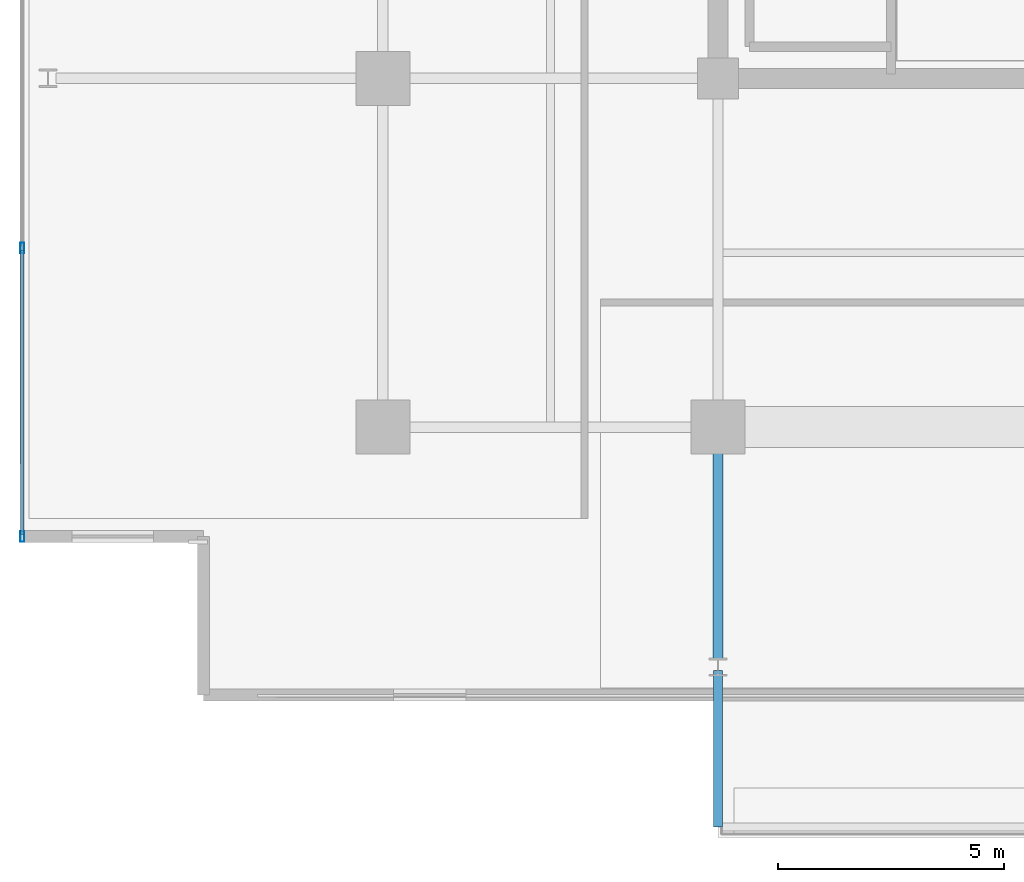
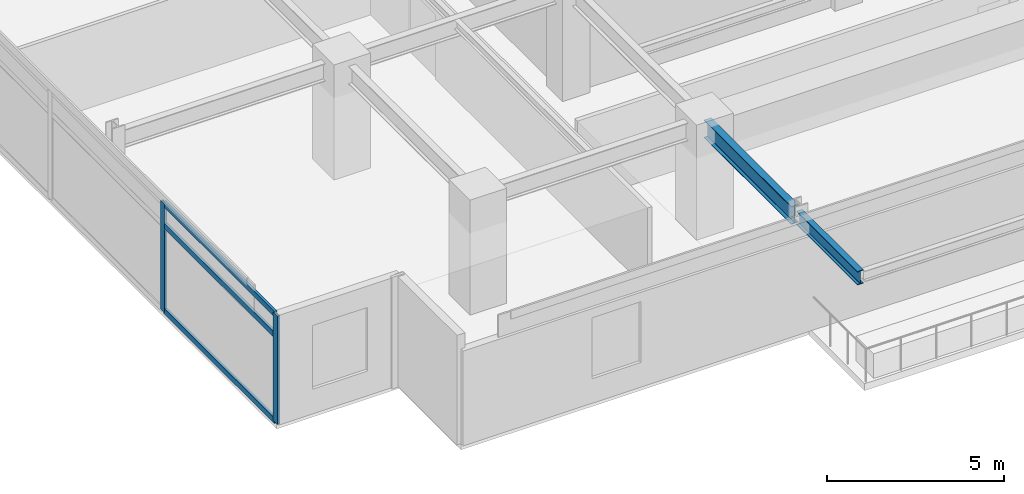
# One storey, part 2 of 24: 5 members, 2 beams, 1 element without a shape of its own.
"""IFC4 building model written with IfcOpenShell, lengths in metres."""

from ifc_helpers import new_model, si_unit, direction, frame, origin, origin_2d, place, context, subcontext, project, spatial, hollow_rectangle, i_section, extrude, material, material_profile, profile_set, type_object, element, aggregate, save


model = new_model("IFC4")

# Units and contexts
model_context = context("Model", 3, precision=1e-05, world=origin(), true_north=direction((0.0, 1.0)))
body_context = subcontext(model_context, "Body", "Model", "MODEL_VIEW")
ifc_project = project(units=[si_unit("LENGTHUNIT", "METRE"), si_unit("AREAUNIT", "SQUARE_METRE"), si_unit("VOLUMEUNIT", "CUBIC_METRE"), si_unit("PLANEANGLEUNIT", "RADIAN"), si_unit("MASSUNIT", "GRAM", prefix="KILO")], contexts=[model_context])

# Site, building, storey
site_placement = place(None, origin())
site = spatial("IfcSite", under=ifc_project, at=site_placement, CompositionType="ELEMENT")
building_placement = place(site_placement, origin())
building = spatial("IfcBuilding", under=site, at=building_placement, Name="Kovane Verandah Tower", CompositionType="ELEMENT")
storey_placement = place(building_placement, frame((0.0, 0.0, 259.199951171875)))
storey = spatial("IfcBuildingStorey", under=building, at=storey_placement, Name="L60", CompositionType="ELEMENT", Elevation=259.199951171875)

# Beam
ifc_material_1 = material(Name="Steel S355", Category="steel")
ifc_material_profile_1 = material_profile(ifc_material_1, i_section(OverallWidth=0.230224609375, OverallDepth=0.6171875, WebThickness=0.01318359375, FlangeThickness=0.022216796875, FilletRadius=0.0126953125, at=origin_2d()), Name="UB610x229x140")
ifc_profile_set_1 = profile_set([ifc_material_profile_1], Name="Steel S355")
beam_type_1 = type_object("IfcBeamType", Name="BM-UB610x140", PredefinedType="BEAM", material=ifc_profile_set_1)
beam_1_placement = place(storey_placement, frame((29.0, 10.6201171875, 3.451416015625), z_axis=(0.0, -1.0, 0.0), x_axis=(1.0, 0.0, 0.0)))
element("IfcBeam", 1, at=beam_1_placement, inside=storey, type_object=beam_type_1, Name="L60 Primary Tower Girder G-VS1", PredefinedType="BEAM", context=body_context, shape_type="SweptSolid", body=[
    extrude(i_section(OverallWidth=0.230224609375, OverallDepth=0.6171875, WebThickness=0.01318359375, FlangeThickness=0.022216796875, FilletRadius=0.0126953125, at=origin_2d()), origin(), (0.0, 0.0, 1.0), 4.940185546875),
])

# Curtain wall, members
ifc_material_2 = material(Name="Champagne Anodised Aluminium Frame with Low-E Clear Laminated Glass", Category="aluminium")
curtain_wall_type = type_object("IfcCurtainWallType", Name="CW-SYS-05-HIGH", PredefinedType="NOTDEFINED", material=ifc_material_2)
curtain_wall_placement = place(storey_placement, origin())
curtain_wall = element("IfcCurtainWall", 2, at=curtain_wall_placement, inside=storey, type_object=curtain_wall_type, Name="L60 W Unitised Curtain Wall", PredefinedType="NOTDEFINED")
ifc_material_3 = material(Name="Champagne Anodised Aluminium 6063-T6", Category="aluminium")
ifc_material_profile_2 = material_profile(ifc_material_3, hollow_rectangle(XDim=0.0849609375, YDim=0.22998046875, WallThickness=0.00390625, at=origin_2d()), Name="AL85x230x4")
ifc_profile_set_2 = profile_set([ifc_material_profile_2], Name="Champagne Anodised Aluminium 6063-T6")
member_type_1 = type_object("IfcMemberType", Name="CW-MUL-85x230", PredefinedType="MULLION", material=ifc_profile_set_2)
member_1_placement = place(storey_placement, frame((13.633544921875, 14.75439453125, 0.02001953125), z_axis=(0.0, 0.0, 1.0), x_axis=(-1.0, 0.0, 0.0)))
member_1 = element("IfcMember", 3, at=member_1_placement, type_object=member_type_1, Name="L60 W Unitised Curtain Wall Mullion 6", PredefinedType="MULLION", context=body_context, shape_type="SweptSolid", body=[
    extrude(hollow_rectangle(XDim=0.0849609375, YDim=0.22998046875, WallThickness=0.00390625, at=origin_2d()), origin(), (0.0, 0.0, 1.0), 3.7451171875),
])
member_2_placement = place(storey_placement, frame((13.633544921875, 8.3818359375, 0.02001953125), z_axis=(0.0, 0.0, 1.0), x_axis=(-1.0, 0.0, 0.0)))
member_2 = element("IfcMember", 4, at=member_2_placement, type_object=member_type_1, Name="L60 W Unitised Curtain Wall Mullion 7", PredefinedType="MULLION", context=body_context, shape_type="SweptSolid", body=[
    extrude(hollow_rectangle(XDim=0.0849609375, YDim=0.22998046875, WallThickness=0.00390625, at=origin_2d()), origin(), (0.0, 0.0, 1.0), 3.7451171875),
])
ifc_material_profile_3 = material_profile(ifc_material_3, hollow_rectangle(XDim=0.0849609375, YDim=0.18994140625, WallThickness=0.00390625, at=origin_2d()), Name="AL85x190x4")
ifc_profile_set_3 = profile_set([ifc_material_profile_3], Name="Champagne Anodised Aluminium 6063-T6")
member_type_2 = type_object("IfcMemberType", Name="CW-TRN-85x190", PredefinedType="USERDEFINED", material=ifc_profile_set_3)
member_3_placement = place(storey_placement, frame((13.633544921875, 14.70458984375, 0.050048828125), z_axis=(0.0, -1.0, 0.0), x_axis=(1.0, 0.0, 0.0)))
member_3 = element("IfcMember", 5, at=member_3_placement, type_object=member_type_2, Name="L60 W Unitised Curtain Wall Transom TB Bay 6", ObjectType="TRANSOM", PredefinedType="USERDEFINED", context=body_context, shape_type="SweptSolid", body=[
    extrude(hollow_rectangle(XDim=0.0849609375, YDim=0.18994140625, WallThickness=0.00390625, at=origin_2d()), origin(), (0.0, 0.0, 1.0), 6.272705078125),
])
member_4_placement = place(storey_placement, frame((13.633544921875, 14.70458984375, 3.005126953125), z_axis=(0.0, -1.0, 0.0), x_axis=(1.0, 0.0, 0.0)))
member_4 = element("IfcMember", 6, at=member_4_placement, type_object=member_type_2, Name="L60 W Unitised Curtain Wall Transom TM Bay 6", ObjectType="TRANSOM", PredefinedType="USERDEFINED", context=body_context, shape_type="SweptSolid", body=[
    extrude(hollow_rectangle(XDim=0.0849609375, YDim=0.18994140625, WallThickness=0.00390625, at=origin_2d()), origin(), (0.0, 0.0, 1.0), 6.272705078125),
])
member_5_placement = place(storey_placement, frame((13.633544921875, 14.70458984375, 3.735107421875), z_axis=(0.0, -1.0, 0.0), x_axis=(1.0, 0.0, 0.0)))
member_5 = element("IfcMember", 7, at=member_5_placement, type_object=member_type_2, Name="L60 W Unitised Curtain Wall Transom TT Bay 6", ObjectType="TRANSOM", PredefinedType="USERDEFINED", context=body_context, shape_type="SweptSolid", body=[
    extrude(hollow_rectangle(XDim=0.0849609375, YDim=0.18994140625, WallThickness=0.00390625, at=origin_2d()), origin(), (0.0, 0.0, 1.0), 6.272705078125),
])
aggregate(curtain_wall, [member_1, member_2, member_3, member_4, member_5])

# Beam
ifc_material_profile_4 = material_profile(ifc_material_1, i_section(OverallWidth=0.19287109375, OverallDepth=0.46728515625, WebThickness=0.011474609375, FlangeThickness=0.01953125, FilletRadius=0.01025390625, at=origin_2d()), Name="UB457x191x98")
ifc_profile_set_4 = profile_set([ifc_material_profile_4], Name="Steel S355")
beam_type_2 = type_object("IfcBeamType", Name="JST-UB457x98", PredefinedType="JOIST", material=ifc_profile_set_4)
beam_2_placement = place(storey_placement, frame((29.0, 5.419921875, 3.5263671875), z_axis=(0.0, -1.0, 0.0), x_axis=(1.0, 0.0, 0.0)))
element("IfcBeam", 8, at=beam_2_placement, inside=storey, type_object=beam_type_2, Name="L60 South Planter Girder 1", PredefinedType="JOIST", context=body_context, shape_type="SweptSolid", body=[
    extrude(i_section(OverallWidth=0.19287109375, OverallDepth=0.46728515625, WebThickness=0.011474609375, FlangeThickness=0.01953125, FilletRadius=0.01025390625, at=origin_2d()), origin(), (0.0, 0.0, 1.0), 3.449951171875),
])

save(model, "model.ifc")
